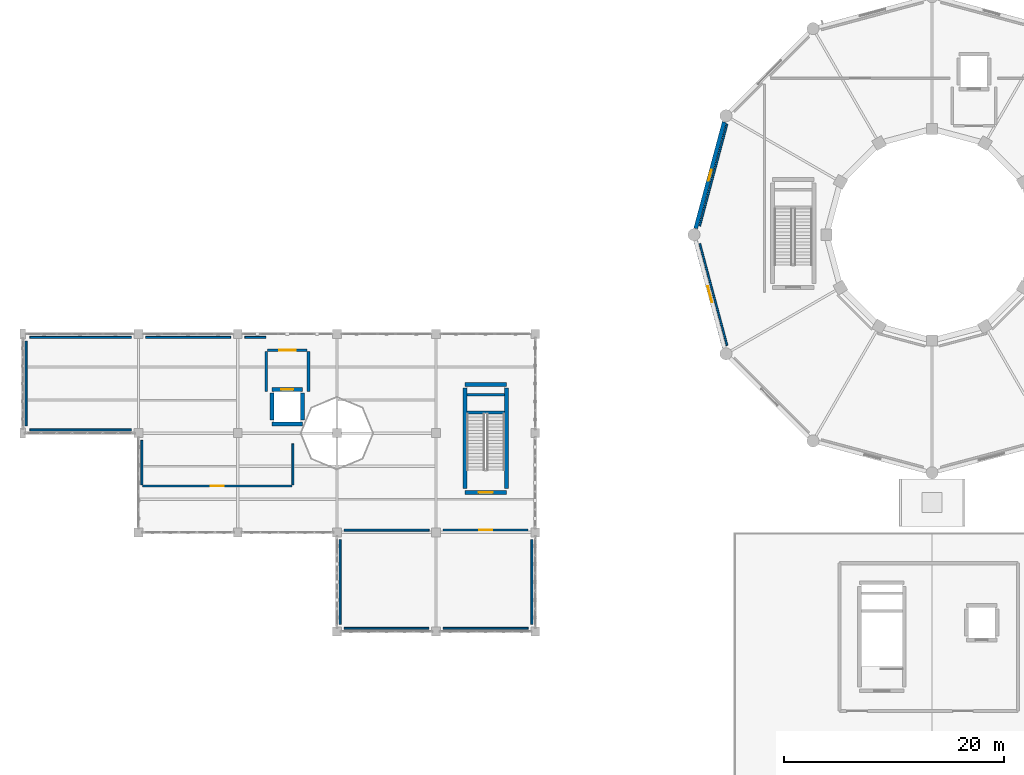
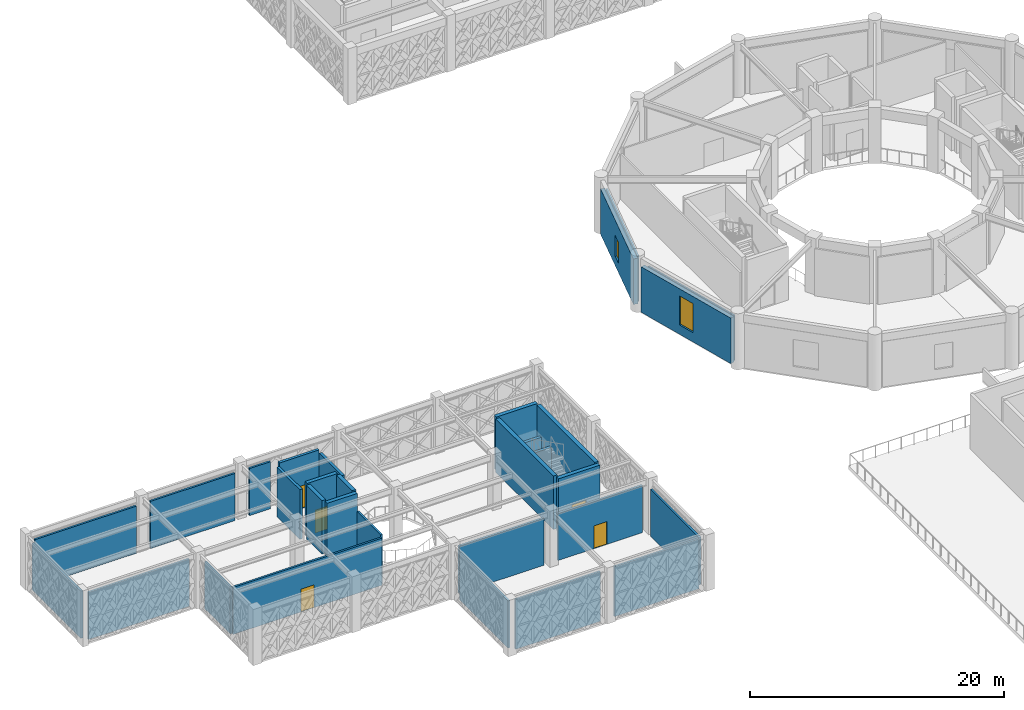
# One storey, part 70 of 86: 31 walls, 5 doors, 2 windows, 7 openings.
"""IFC4 building model written with IfcOpenShell, lengths in metres."""

from ifc_helpers import new_model, si_unit, direction, frame, frame_2d, origin, place, context, subcontext, project, spatial, rectangle, extrude, material, layer, layer_set, type_object, element, fill, save


model = new_model("IFC4")

# Units and contexts
model_context = context("Model", 3, precision=1e-05, world=origin(), true_north=direction((0.0, 1.0)))
body_context = subcontext(model_context, "Body", "Model", "MODEL_VIEW")
ifc_project = project(units=[si_unit("LENGTHUNIT", "METRE"), si_unit("AREAUNIT", "SQUARE_METRE"), si_unit("VOLUMEUNIT", "CUBIC_METRE"), si_unit("PLANEANGLEUNIT", "RADIAN"), si_unit("MASSUNIT", "GRAM", prefix="KILO")], contexts=[model_context])

# Site, building, storey
site_placement = place(None, origin())
site = spatial("IfcSite", under=ifc_project, at=site_placement, CompositionType="ELEMENT")
building_placement = place(site_placement, origin())
building = spatial("IfcBuilding", under=site, at=building_placement, Name="Haizhuo Lancet Aquarium", CompositionType="ELEMENT")
storey_placement = place(building_placement, frame((0.0, 0.0, 16.199951171875)))
storey = spatial("IfcBuildingStorey", under=building, at=storey_placement, Name="L03", CompositionType="ELEMENT", Elevation=16.199951171875)

# Wall, opening, window
ifc_material_1 = material(Name="Shandong Grey Limestone Ashlar", Category="masonry")
ifc_layer_1 = layer(ifc_material_1, 0.360107421875)
ifc_layer_set_1 = layer_set([ifc_layer_1], Name="Shandong Grey Limestone Ashlar")
wall_type_1 = type_object("IfcWallType", Name="EWL-ASH-360", PredefinedType="SOLIDWALL", material=ifc_layer_set_1)
wall_1_placement = place(storey_placement, frame((-21.446044921875, 0.574951171875, 0.0), z_axis=(0.0, 0.0, 1.0), x_axis=(0.258836652854, 0.965921108134, 0.0)))
wall_1 = element("IfcWall", 1, at=wall_1_placement, inside=storey, type_object=wall_type_1, Name="L03 V1 limestone drum wall bay 6", PredefinedType="SOLIDWALL", context=body_context, shape_type="SweptSolid", body=[
    extrude(rectangle(XDim=9.99072265625, YDim=0.360107421875, at=frame_2d((4.995361328125, 0.0))), origin(), (0.0, 0.0, 1.0), 4.385009765625),
])
opening_1_placement = place(wall_1_placement, frame((4.469970703125, 0.0, 0.89990234375)))
opening_1 = element("IfcOpeningElement", 2, at=opening_1_placement, cuts=wall_1, Name="Opening WN-12", PredefinedType="OPENING", context=body_context, shape_type="SweptSolid", body=[
    extrude(rectangle(XDim=1.050048828125, YDim=2.0, at=frame_2d((0.52490234375, 1.0))), frame((0.0, 0.18994140625, 0.0), z_axis=(0.0, -1.0, 0.0), x_axis=(1.0, 0.0, 0.0)), (0.0, 0.0, 1.0), 0.380107),
])
ifc_material_2 = material(Name="Laminated Low-E Glass", Category="glass")
window_type_1 = type_object("IfcWindowType", Name="WIN-LAN-1050x2000", PartitioningType="SINGLE_PANEL", PredefinedType="WINDOW", material=ifc_material_2)
window_1_placement = place(opening_1_placement, origin())
window_1 = element("IfcWindow", 3, at=window_1_placement, inside=storey, type_object=window_type_1, Name="L03 Gothic lancet window 38", OverallHeight=2.0, OverallWidth=1.050048828125, PartitioningType="SINGLE_PANEL", PredefinedType="WINDOW", context=body_context, shape_type="SweptSolid", body=[
    extrude(rectangle(XDim=1.050048828125, YDim=2.0, at=frame_2d((0.52490234375, 1.0))), frame((0.0, 0.030029296875, 0.0), z_axis=(0.0, -1.0, 0.0), x_axis=(1.0, 0.0, 0.0)), (0.0, 0.0, 1.0), 0.06005859375),
])
fill(opening_1, window_1)

wall_2_placement = place(storey_placement, frame((-18.860107421875, -10.22509765625, 0.0), z_axis=(0.0, 0.0, 1.0), x_axis=(-0.258836652854, 0.965921108134, 0.0)))
wall_2 = element("IfcWall", 4, at=wall_2_placement, inside=storey, type_object=wall_type_1, Name="L03 V1 limestone drum wall bay 7", PredefinedType="SOLIDWALL", context=body_context, shape_type="SweptSolid", body=[
    extrude(rectangle(XDim=9.99072265625, YDim=0.360107421875, at=frame_2d((4.995361328125, 0.0))), origin(), (0.0, 0.0, 1.0), 4.385009765625),
])
opening_2_placement = place(wall_2_placement, frame((4.2451171875, 0.0, 0.89990234375)))
opening_2 = element("IfcOpeningElement", 5, at=opening_2_placement, cuts=wall_2, Name="Opening WN-03", PredefinedType="OPENING", context=body_context, shape_type="SweptSolid", body=[
    extrude(rectangle(XDim=1.5, YDim=2.800048828125, at=frame_2d((0.75, 1.39990234375))), frame((0.0, 0.18994140625, 0.0), z_axis=(0.0, -1.0, 0.0), x_axis=(1.0, 0.0, 0.0)), (0.0, 0.0, 1.0), 0.380107),
])
window_type_2 = type_object("IfcWindowType", Name="WIN-LAN-1500x2800", PartitioningType="SINGLE_PANEL", PredefinedType="WINDOW", material=ifc_material_2)
window_2_placement = place(opening_2_placement, origin())
window_2 = element("IfcWindow", 6, at=window_2_placement, inside=storey, type_object=window_type_2, Name="L03 Gothic lancet window 39", OverallHeight=2.800048828125, OverallWidth=1.5, PartitioningType="SINGLE_PANEL", PredefinedType="WINDOW", context=body_context, shape_type="SweptSolid", body=[
    extrude(rectangle(XDim=1.5, YDim=2.800048828125, at=frame_2d((0.75, 1.39990234375))), frame((0.0, 0.030029296875, 0.0), z_axis=(0.0, -1.0, 0.0), x_axis=(1.0, 0.0, 0.0)), (0.0, 0.0, 1.0), 0.06005859375),
])
fill(opening_2, window_2)

# Wall, opening, door
ifc_material_3 = material(Name="Concrete C40/50", Category="concrete")
ifc_layer_2 = layer(ifc_material_3, 0.239990234375)
ifc_layer_set_2 = layer_set([ifc_layer_2], Name="Concrete C40/50")
wall_type_2 = type_object("IfcWallType", Name="IWL-FIRE-240", PredefinedType="PARTITIONING", material=ifc_layer_set_2)
wall_3_placement = place(storey_placement, frame((-56.699951171875, -10.47998046875, 0.0), z_axis=(0.0, 0.0, 1.0), x_axis=(-1.0, 0.0, 0.0)))
wall_3 = element("IfcWall", 7, at=wall_3_placement, inside=storey, type_object=wall_type_2, Name="L03 LF-03 firefighting lift lobby firewall N", PredefinedType="PARTITIONING", context=body_context, shape_type="SweptSolid", body=[
    extrude(rectangle(XDim=3.60009765625, YDim=0.239990234375, at=frame_2d((1.800048828125, 0.0))), origin(), (0.0, 0.0, 1.0), 5.10009765625),
])
opening_3_placement = place(wall_3_placement, frame((1.050048828125, 0.0, 0.0)))
opening_3 = element("IfcOpeningElement", 8, at=opening_3_placement, cuts=wall_3, Name="Opening FD-03", PredefinedType="OPENING", context=body_context, shape_type="SweptSolid", body=[
    extrude(rectangle(XDim=1.5, YDim=2.199951171875, at=frame_2d((0.75, 1.10009765625))), frame((0.0, 0.1298828125, 0.0), z_axis=(0.0, -1.0, 0.0), x_axis=(1.0, 0.0, 0.0)), (0.0, 0.0, 1.0), 0.25999),
])
ifc_material_4 = material(Name="Steel S355", Category="steel")
door_type_1 = type_object("IfcDoorType", Name="IDR-FFL-1500x2200", OperationType="NOTDEFINED", PredefinedType="DOOR", material=ifc_material_4)
door_1_placement = place(opening_3_placement, origin())
door_1 = element("IfcDoor", 9, at=door_1_placement, inside=storey, type_object=door_type_1, Name="L03 LF-03 firefighting lift lobby door", OperationType="SINGLE_SWING_LEFT", OverallHeight=2.199951171875, OverallWidth=1.5, PredefinedType="DOOR", context=body_context, shape_type="SweptSolid", body=[
    extrude(rectangle(XDim=1.5, YDim=2.199951171875, at=frame_2d((0.75, 1.10009765625))), frame((0.0, 0.02490234375, 0.0), z_axis=(0.0, -1.0, 0.0), x_axis=(1.0, 0.0, 0.0)), (0.0, 0.0, 1.0), 0.050048828125),
])
fill(opening_3, door_1)

# Walls
for number, where, z_axis, x_axis, name in (
    (10, (-60.419921875, -14.199951171875, 0.0), (0.0, 0.0, 1.0), (0.0, 1.0, 0.0), "L03 LF-03 firefighting lift lobby firewall W"),
    (11, (-56.580078125, -14.199951171875, 0.0), (0.0, 0.0, 1.0), (0.0, 1.0, 0.0), "L03 LF-03 firefighting lift lobby firewall E"),
):
    element("IfcWall", number, at=place(storey_placement, frame(where, z_axis=z_axis, x_axis=x_axis)), inside=storey, type_object=wall_type_2, Name=name, PredefinedType="PARTITIONING", context=body_context, shape_type="SweptSolid", body=[
        extrude(rectangle(XDim=3.599853515625, YDim=0.239990234375, at=frame_2d((1.7998046875, 0.0))), origin(), (0.0, 0.0, 1.0), 4.78515625),
    ])
ifc_layer_3 = layer(ifc_material_3, 0.179931640625)
ifc_layer_set_3 = layer_set([ifc_layer_3], Name="Concrete C40/50")
wall_type_3 = type_object("IfcWallType", Name="IWL-LAB-180", PredefinedType="PARTITIONING", material=ifc_layer_set_3)
wall_4_placement = place(storey_placement, frame((-81.85009765625, -17.699951171875, 0.0), z_axis=(0.0, 0.0, 1.0), x_axis=(1.0, 0.0, 0.0)))
element("IfcWall", 12, at=wall_4_placement, inside=storey, type_object=wall_type_3, Name="L03 partition wall 501", PredefinedType="PARTITIONING", context=body_context, shape_type="SweptSolid", body=[
    extrude(rectangle(XDim=9.2001953125, YDim=0.179931640625, at=frame_2d((4.60009765625, 0.0))), origin(), (0.0, 0.0, 1.0), 4.53515625),
])
wall_5_placement = place(storey_placement, frame((-71.699951171875, -18.64990234375, 0.0), z_axis=(0.0, 0.0, 1.0), x_axis=(0.0, -1.0, 0.0)))
element("IfcWall", 13, at=wall_5_placement, inside=storey, type_object=wall_type_3, Name="L03 partition wall 502", PredefinedType="PARTITIONING", context=body_context, shape_type="SweptSolid", body=[
    extrude(rectangle(XDim=4.050048828125, YDim=0.179931640625, at=frame_2d((2.02490234375, 0.0))), origin(), (0.0, 0.0, 1.0), 4.53515625),
])

# Wall, opening, door
wall_6_placement = place(storey_placement, frame((-71.6201171875, -22.798095703125, 0.0), z_axis=(0.0, 0.0, 1.0), x_axis=(0.99999998685, 0.000162170926, 0.0)))
wall_6 = element("IfcWall", 14, at=wall_6_placement, inside=storey, type_object=wall_type_3, Name="L03 partition wall 503", PredefinedType="PARTITIONING", context=body_context, shape_type="SweptSolid", body=[
    extrude(rectangle(XDim=13.549072265625, YDim=0.179931640625, at=frame_2d((6.7744140625, 0.0))), origin(), (0.0, 0.0, 1.0), 4.53515625),
])
opening_4_placement = place(wall_6_placement, frame((6.175048828125, 0.0, 0.0)))
opening_4 = element("IfcOpeningElement", 15, at=opening_4_placement, cuts=wall_6, Name="Opening D-04", PredefinedType="OPENING", context=body_context, shape_type="SweptSolid", body=[
    extrude(rectangle(XDim=1.199951171875, YDim=2.199951171875, at=frame_2d((0.60009765625, 1.10009765625))), frame((0.0, 0.099853515625, 0.0), z_axis=(0.0, -1.0, 0.0), x_axis=(1.0, 0.0, 0.0)), (0.0, 0.0, 1.0), 0.199932),
])
door_type_2 = type_object("IfcDoorType", Name="IDR-LAB-1200x2200", OperationType="NOTDEFINED", PredefinedType="DOOR", material=ifc_material_4)
door_2_placement = place(opening_4_placement, origin())
door_2 = element("IfcDoor", 16, at=door_2_placement, inside=storey, type_object=door_type_2, Name="L03 Physical Oceanography Research Laboratory door", OperationType="SINGLE_SWING_LEFT", OverallHeight=2.199951171875, OverallWidth=1.199951171875, PredefinedType="DOOR", context=body_context, shape_type="SweptSolid", body=[
    extrude(rectangle(XDim=1.199951171875, YDim=2.199951171875, at=frame_2d((0.60009765625, 1.10009765625))), frame((0.0, 0.02490234375, 0.0), z_axis=(0.0, -1.0, 0.0), x_axis=(1.0, 0.0, 0.0)), (0.0, 0.0, 1.0), 0.050048828125),
])
fill(opening_4, door_2)

# Walls
wall_7_placement = place(storey_placement, frame((-58.0, -22.699951171875, 0.0), z_axis=(0.0, 0.0, 1.0), x_axis=(-0.00026217473, 0.999999965632, 0.0)))
element("IfcWall", 17, at=wall_7_placement, inside=storey, type_object=wall_type_3, Name="L03 partition wall 504", PredefinedType="PARTITIONING", context=body_context, shape_type="SweptSolid", body=[
    extrude(rectangle(XDim=3.724853515625, YDim=0.179931640625, at=frame_2d((1.8623046875, 0.0))), origin(), (0.0, 0.0, 1.0), 4.735107421875),
])
wall_8_placement = place(storey_placement, frame((-60.449951171875, -9.300048828125, 0.0), z_axis=(0.0, 0.0, 1.0), x_axis=(-1.0, 0.0, 0.0)))
element("IfcWall", 18, at=wall_8_placement, inside=storey, type_object=wall_type_3, Name="L03 partition wall 505", PredefinedType="PARTITIONING", context=body_context, shape_type="SweptSolid", body=[
    extrude(rectangle(XDim=1.900146484375, YDim=0.179931640625, at=frame_2d((0.9501953125, 0.0))), origin(), (0.0, 0.0, 1.0), 4.53515625),
])
wall_9_placement = place(storey_placement, frame((-63.64990234375, -9.300048828125, 0.0), z_axis=(0.0, 0.0, 1.0), x_axis=(-1.0, 0.0, 0.0)))
element("IfcWall", 19, at=wall_9_placement, inside=storey, type_object=wall_type_3, Name="L03 partition wall 506", PredefinedType="PARTITIONING", context=body_context, shape_type="SweptSolid", body=[
    extrude(rectangle(XDim=7.7001953125, YDim=0.179931640625, at=frame_2d((3.85009765625, 0.0))), origin(), (0.0, 0.0, 1.0), 4.53515625),
])
wall_10_placement = place(storey_placement, frame((-72.64990234375, -9.300048828125, 0.0), z_axis=(0.0, 0.0, 1.0), x_axis=(-0.99999991006, -0.000424121897, 0.0)))
element("IfcWall", 20, at=wall_10_placement, inside=storey, type_object=wall_type_3, Name="L03 partition wall 507", PredefinedType="PARTITIONING", context=body_context, shape_type="SweptSolid", body=[
    extrude(rectangle(XDim=9.210205078125, YDim=0.179931640625, at=frame_2d((4.60498046875, 0.0))), origin(), (0.0, 0.0, 1.0), 4.53515625),
])
wall_11_placement = place(storey_placement, frame((-82.199951171875, -9.64990234375, 0.0), z_axis=(0.0, 0.0, 1.0), x_axis=(0.0, -1.0, 0.0)))
element("IfcWall", 21, at=wall_11_placement, inside=storey, type_object=wall_type_3, Name="L03 partition wall 508", PredefinedType="PARTITIONING", context=body_context, shape_type="SweptSolid", body=[
    extrude(rectangle(XDim=7.7001953125, YDim=0.179931640625, at=frame_2d((3.85009765625, 0.0))), origin(), (0.0, 0.0, 1.0), 4.53515625),
])
for number, where, z_axis, x_axis, name in (
    (22, (-53.35009765625, -35.699951171875, 0.0), (0.0, 0.0, 1.0), (1.0, 0.0, 0.0), "L03 partition wall 509"),
    (23, (-44.35009765625, -35.699951171875, 0.0), (0.0, 0.0, 1.0), (1.0, 0.0, 0.0), "L03 partition wall 510"),
):
    element("IfcWall", number, at=place(storey_placement, frame(where, z_axis=z_axis, x_axis=x_axis)), inside=storey, type_object=wall_type_3, Name=name, PredefinedType="PARTITIONING", context=body_context, shape_type="SweptSolid", body=[
        extrude(rectangle(XDim=7.7001953125, YDim=0.179931640625, at=frame_2d((3.85009765625, 0.0))), origin(), (0.0, 0.0, 1.0), 4.78515625),
    ])
wall_12_placement = place(storey_placement, frame((-36.300048828125, -35.35009765625, 0.0), z_axis=(0.0, 0.0, 1.0), x_axis=(0.0, 1.0, 0.0)))
element("IfcWall", 24, at=wall_12_placement, inside=storey, type_object=wall_type_3, Name="L03 partition wall 511", PredefinedType="PARTITIONING", context=body_context, shape_type="SweptSolid", body=[
    extrude(rectangle(XDim=7.7001953125, YDim=0.179931640625, at=frame_2d((3.85009765625, 0.0))), origin(), (0.0, 0.0, 1.0), 4.53515625),
])

# Wall, opening, door
wall_13_placement = place(storey_placement, frame((-36.64990234375, -26.800048828125, 0.0), z_axis=(0.0, 0.0, 1.0), x_axis=(-1.0, 0.0, 0.0)))
wall_13 = element("IfcWall", 25, at=wall_13_placement, inside=storey, type_object=wall_type_3, Name="L03 partition wall 512", PredefinedType="PARTITIONING", context=body_context, shape_type="SweptSolid", body=[
    extrude(rectangle(XDim=7.710205078125, YDim=0.179931640625, at=frame_2d((3.85498046875, 0.0))), origin(), (0.0, 0.0, 1.0), 4.53515625),
])
opening_5_placement = place(wall_13_placement, frame((3.2548828125, 0.0, 0.0)))
opening_5 = element("IfcOpeningElement", 26, at=opening_5_placement, cuts=wall_13, Name="Opening D-04", PredefinedType="OPENING", context=body_context, shape_type="SweptSolid", body=[
    extrude(rectangle(XDim=1.199951171875, YDim=2.199951171875, at=frame_2d((0.60009765625, 1.10009765625))), frame((0.0, 0.099853515625, 0.0), z_axis=(0.0, -1.0, 0.0), x_axis=(1.0, 0.0, 0.0)), (0.0, 0.0, 1.0), 0.199932),
])
door_3_placement = place(opening_5_placement, origin())
door_3 = element("IfcDoor", 27, at=door_3_placement, inside=storey, type_object=door_type_2, Name="L03 Curatorial Conservation Suite door", OperationType="SINGLE_SWING_RIGHT", OverallHeight=2.199951171875, OverallWidth=1.199951171875, PredefinedType="DOOR", context=body_context, shape_type="SweptSolid", body=[
    extrude(rectangle(XDim=1.199951171875, YDim=2.199951171875, at=frame_2d((0.60009765625, 1.10009765625))), frame((0.0, 0.02490234375, 0.0), z_axis=(0.0, -1.0, 0.0), x_axis=(1.0, 0.0, 0.0)), (0.0, 0.0, 1.0), 0.050048828125),
])
fill(opening_5, door_3)

# Walls
wall_14_placement = place(storey_placement, frame((-45.639892578125, -26.800048828125, 0.0), z_axis=(0.0, 0.0, 1.0), x_axis=(-1.0, 0.0, 0.0)))
element("IfcWall", 28, at=wall_14_placement, inside=storey, type_object=wall_type_3, Name="L03 partition wall 513", PredefinedType="PARTITIONING", context=body_context, shape_type="SweptSolid", body=[
    extrude(rectangle(XDim=7.710205078125, YDim=0.179931640625, at=frame_2d((3.85498046875, 0.0))), origin(), (0.0, 0.0, 1.0), 4.53515625),
])
wall_15_placement = place(storey_placement, frame((-53.699951171875, -27.64990234375, 0.0), z_axis=(0.0, 0.0, 1.0), x_axis=(0.0, -1.0, 0.0)))
element("IfcWall", 29, at=wall_15_placement, inside=storey, type_object=wall_type_3, Name="L03 partition wall 514", PredefinedType="PARTITIONING", context=body_context, shape_type="SweptSolid", body=[
    extrude(rectangle(XDim=7.7001953125, YDim=0.179931640625, at=frame_2d((3.85009765625, 0.0))), origin(), (0.0, 0.0, 1.0), 4.53515625),
])
ifc_material_5 = material(Name="Gypsum Fireboard Partition")
ifc_layer_4 = layer(ifc_material_5, 0.14990234375)
ifc_layer_set_4 = layer_set([ifc_layer_4], Name="Gypsum Fireboard Partition")
wall_type_4 = type_object("IfcWallType", Name="IWL-STD-150", PredefinedType="PARTITIONING", material=ifc_layer_set_4)
wall_16_placement = place(storey_placement, frame((-21.072998046875, -0.805908203125, 0.0), z_axis=(0.0, 0.0, 1.0), x_axis=(0.259280198702, -0.965802142554, 0.0)))
element("IfcWall", 30, at=wall_16_placement, inside=storey, type_object=wall_type_4, Name="L03 partition wall 450", PredefinedType="PARTITIONING", context=body_context, shape_type="SweptSolid", body=[
    extrude(rectangle(XDim=9.56103515625, YDim=0.14990234375, at=frame_2d((4.780517578125, 0.0))), origin(), (0.0, 0.0, 1.0), 4.385009765625),
])
wall_17_placement = place(storey_placement, frame((-18.597900390625, 10.0400390625, 0.0), z_axis=(0.0, 0.0, 1.0), x_axis=(-0.258923095589, -0.965897940038, 0.0)))
element("IfcWall", 31, at=wall_17_placement, inside=storey, type_object=wall_type_4, Name="L03 partition wall 465", PredefinedType="PARTITIONING", context=body_context, shape_type="SweptSolid", body=[
    extrude(rectangle(XDim=9.570556640625, YDim=0.14990234375, at=frame_2d((4.78515625, 0.0))), origin(), (0.0, 0.0, 1.0), 4.385009765625),
])
ifc_layer_5 = layer(ifc_material_3, 0.35009765625)
ifc_layer_set_5 = layer_set([ifc_layer_5], Name="Concrete C40/50")
wall_type_5 = type_object("IfcWallType", Name="WL-CORE-350", PredefinedType="SHEAR", material=ifc_layer_set_5)
for number, where, z_axis, x_axis, name in (
    (32, (-42.199951171875, -16.125, 0.0), (0.0, 0.0, 1.0), (1.0, 0.0, 0.0), "L03 ST-09 landing support wall"),
    (33, (-42.199951171875, -14.52490234375, 0.0), (0.0, 0.0, 1.0), (1.0, 0.0, 0.0), "L03 ST-09 far landing support wall"),
):
    element("IfcWall", number, at=place(storey_placement, frame(where, z_axis=z_axis, x_axis=x_axis)), inside=storey, type_object=wall_type_5, Name=name, PredefinedType="SHEAR", context=body_context, shape_type="SweptSolid", body=[
        extrude(rectangle(XDim=3.39990234375, YDim=0.25, at=frame_2d((1.699951171875, 0.0))), origin(), (0.0, 0.0, 1.0), 2.5),
    ])

# Wall, opening, door
wall_18_placement = place(storey_placement, frame((-42.375, -23.375, 0.0), z_axis=(0.0, 0.0, 1.0), x_axis=(1.0, 0.0, 0.0)))
wall_18 = element("IfcWall", 34, at=wall_18_placement, inside=storey, type_object=wall_type_5, Name="L03 ST-09 core shear wall S", PredefinedType="SHEAR", context=body_context, shape_type="SweptSolid", body=[
    extrude(rectangle(XDim=3.75, YDim=0.35009765625, at=frame_2d((1.875, 0.0))), origin(), (0.0, 0.0, 1.0), 5.150146484375),
])
opening_6_placement = place(wall_18_placement, frame((1.22509765625, 0.0, 0.0)))
opening_6 = element("IfcOpeningElement", 35, at=opening_6_placement, cuts=wall_18, Name="Opening FD-02", PredefinedType="OPENING", context=body_context, shape_type="SweptSolid", body=[
    extrude(rectangle(XDim=1.300048828125, YDim=2.199951171875, at=frame_2d((0.64990234375, 1.10009765625))), frame((0.0, 0.18505859375, 0.0), z_axis=(0.0, -1.0, 0.0), x_axis=(1.0, 0.0, 0.0)), (0.0, 0.0, 1.0), 0.370098),
])
door_type_3 = type_object("IfcDoorType", Name="IDR-STAIR-1300x2200", OperationType="NOTDEFINED", PredefinedType="DOOR", material=ifc_material_4)
door_4_placement = place(opening_6_placement, origin())
door_4 = element("IfcDoor", 36, at=door_4_placement, inside=storey, type_object=door_type_3, Name="L03 ST-09 stairwell fire door", OperationType="SINGLE_SWING_LEFT", OverallHeight=2.199951171875, OverallWidth=1.300048828125, PredefinedType="DOOR", context=body_context, shape_type="SweptSolid", body=[
    extrude(rectangle(XDim=1.300048828125, YDim=2.199951171875, at=frame_2d((0.64990234375, 1.10009765625))), frame((0.0, 0.02490234375, 0.0), z_axis=(0.0, -1.0, 0.0), x_axis=(1.0, 0.0, 0.0)), (0.0, 0.0, 1.0), 0.050048828125),
])
fill(opening_6, door_4)

# Walls
wall_19_placement = place(storey_placement, frame((-42.375, -13.574951171875, 0.0), z_axis=(0.0, 0.0, 1.0), x_axis=(1.0, 0.0, 0.0)))
element("IfcWall", 37, at=wall_19_placement, inside=storey, type_object=wall_type_5, Name="L03 ST-09 core shear wall N", PredefinedType="SHEAR", context=body_context, shape_type="SweptSolid", body=[
    extrude(rectangle(XDim=3.75, YDim=0.35009765625, at=frame_2d((1.875, 0.0))), origin(), (0.0, 0.0, 1.0), 5.150146484375),
])
for number, where, z_axis, x_axis, name in (
    (38, (-42.375, -23.02490234375, 0.0), (0.0, 0.0, 1.0), (0.0, 1.0, 0.0), "L03 ST-09 core shear wall W"),
    (39, (-38.625, -23.02490234375, 0.0), (0.0, 0.0, 1.0), (0.0, 1.0, 0.0), "L03 ST-09 core shear wall E"),
):
    element("IfcWall", number, at=place(storey_placement, frame(where, z_axis=z_axis, x_axis=x_axis)), inside=storey, type_object=wall_type_5, Name=name, PredefinedType="SHEAR", context=body_context, shape_type="SweptSolid", body=[
        extrude(rectangle(XDim=9.099853515625, YDim=0.35009765625, at=frame_2d((4.5498046875, 0.0))), origin(), (0.0, 0.0, 1.0), 5.150146484375),
    ])
wall_20_placement = place(storey_placement, frame((-59.875, -17.175048828125, 0.0), z_axis=(0.0, 0.0, 1.0), x_axis=(1.0, 0.0, 0.0)))
element("IfcWall", 40, at=wall_20_placement, inside=storey, type_object=wall_type_5, Name="L03 LF-03 lift shaft wall -Y", PredefinedType="SHEAR", context=body_context, shape_type="SweptSolid", body=[
    extrude(rectangle(XDim=2.75, YDim=0.35009765625, at=frame_2d((1.375, 0.0))), origin(), (0.0, 0.0, 1.0), 5.150146484375),
])

# Wall, opening, door
wall_21_placement = place(storey_placement, frame((-57.125, -14.02490234375, 0.0), z_axis=(0.0, 0.0, 1.0), x_axis=(-1.0, 0.0, 0.0)))
wall_21 = element("IfcWall", 41, at=wall_21_placement, inside=storey, type_object=wall_type_5, Name="L03 LF-03 lift shaft wall +Y", PredefinedType="SHEAR", context=body_context, shape_type="SweptSolid", body=[
    extrude(rectangle(XDim=2.75, YDim=0.35009765625, at=frame_2d((1.375, 0.0))), origin(), (0.0, 0.0, 1.0), 5.150146484375),
])
opening_7_placement = place(wall_21_placement, frame((0.824951171875, 0.0, 0.0)))
opening_7 = element("IfcOpeningElement", 42, at=opening_7_placement, cuts=wall_21, Name="Opening LD-01", PredefinedType="OPENING", context=body_context, shape_type="SweptSolid", body=[
    extrude(rectangle(XDim=1.10009765625, YDim=2.199951171875, at=frame_2d((0.550048828125, 1.10009765625))), frame((0.0, 0.18505859375, 0.0), z_axis=(0.0, -1.0, 0.0), x_axis=(1.0, 0.0, 0.0)), (0.0, 0.0, 1.0), 0.370098),
])
door_type_4 = type_object("IfcDoorType", Name="IDR-LIFT-1100x2200", OperationType="NOTDEFINED", PredefinedType="DOOR", material=ifc_material_4)
door_5_placement = place(opening_7_placement, origin())
door_5 = element("IfcDoor", 43, at=door_5_placement, inside=storey, type_object=door_type_4, Name="L03 LF-03 sliding lift landing door", OperationType="DOUBLE_DOOR_SLIDING", OverallHeight=2.199951171875, OverallWidth=1.10009765625, PredefinedType="DOOR", context=body_context, shape_type="SweptSolid", body=[
    extrude(rectangle(XDim=1.10009765625, YDim=2.199951171875, at=frame_2d((0.550048828125, 1.10009765625))), frame((0.0, 0.02490234375, 0.0), z_axis=(0.0, -1.0, 0.0), x_axis=(1.0, 0.0, 0.0)), (0.0, 0.0, 1.0), 0.050048828125),
])
fill(opening_7, door_5)

# Walls
for number, where, z_axis, x_axis, name in (
    (44, (-59.875, -16.824951171875, 0.0), (0.0, 0.0, 1.0), (0.0, 1.0, 0.0), "L03 LF-03 lift shaft wall -X"),
    (45, (-57.125, -16.824951171875, 0.0), (0.0, 0.0, 1.0), (0.0, 1.0, 0.0), "L03 LF-03 lift shaft wall +X"),
):
    element("IfcWall", number, at=place(storey_placement, frame(where, z_axis=z_axis, x_axis=x_axis)), inside=storey, type_object=wall_type_5, Name=name, PredefinedType="SHEAR", context=body_context, shape_type="SweptSolid", body=[
        extrude(rectangle(XDim=2.449951171875, YDim=0.35009765625, at=frame_2d((1.22509765625, 0.0))), origin(), (0.0, 0.0, 1.0), 5.150146484375),
    ])

save(model, "model.ifc")
